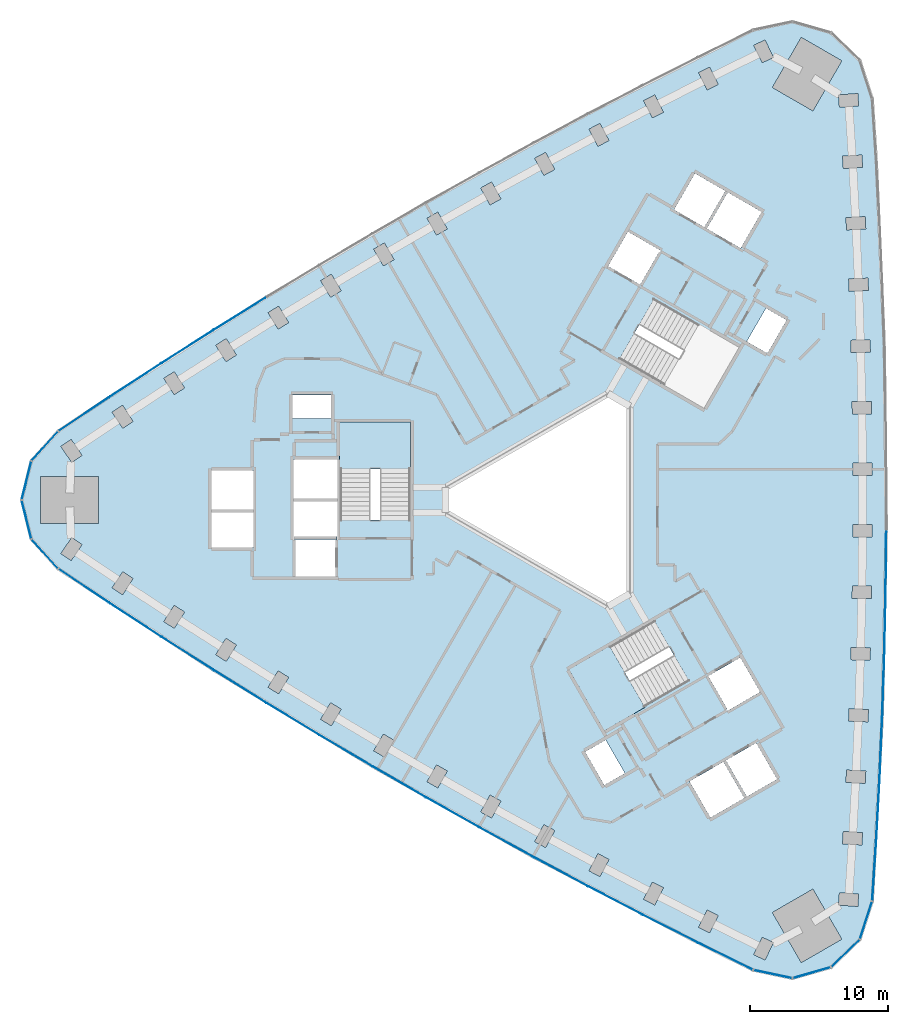
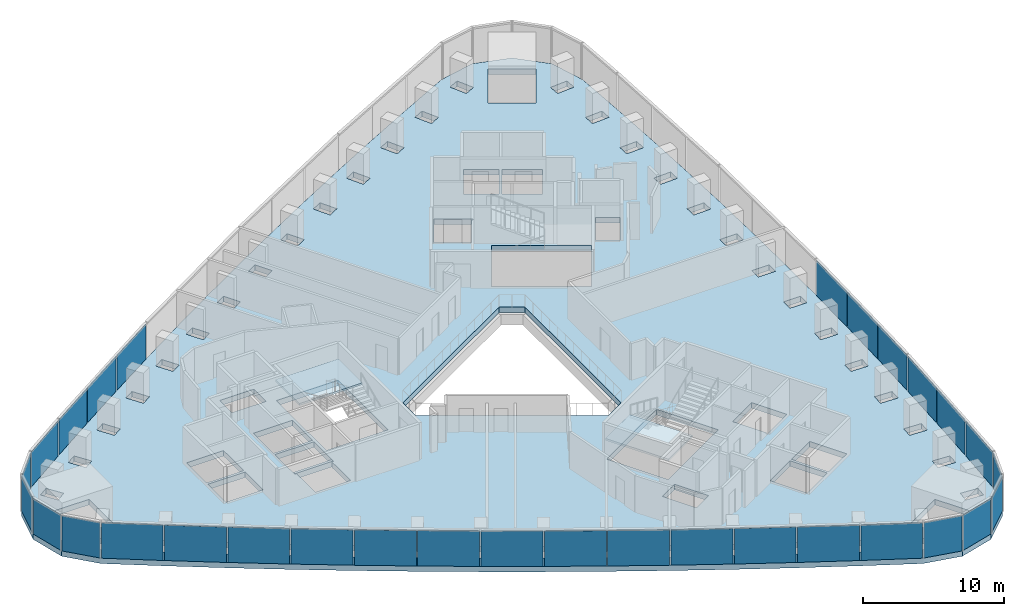
# One storey, part 6 of 12: 31 plates, 3 slabs, 5 elements without a shape of their own.
"""IFC4 building model written with IfcOpenShell, lengths in metres."""

from ifc_helpers import new_model, si_unit, direction, frame, origin, origin_2d, place, context, subcontext, project, spatial, polyline, rectangle, outline, extrude, material, layer, layer_set, type_object, element, aggregate, save


model = new_model("IFC4")

# Units and contexts
model_context = context("Model", 3, precision=1e-05, world=origin(), true_north=direction((0.0, 1.0)))
body_context = subcontext(model_context, "Body", "Model", "MODEL_VIEW")
ifc_project = project(units=[si_unit("LENGTHUNIT", "METRE"), si_unit("AREAUNIT", "SQUARE_METRE"), si_unit("VOLUMEUNIT", "CUBIC_METRE"), si_unit("PLANEANGLEUNIT", "RADIAN"), si_unit("MASSUNIT", "GRAM", prefix="KILO")], contexts=[model_context])

# Site, building, storey
site_placement = place(None, origin())
site = spatial("IfcSite", under=ifc_project, at=site_placement, CompositionType="ELEMENT")
building_placement = place(site_placement, origin())
building = spatial("IfcBuilding", under=site, at=building_placement, Name="Tamra Quay Hotel Tower", CompositionType="ELEMENT")
storey_placement = place(building_placement, frame((0.0, 0.0, 71.0)))
storey = spatial("IfcBuildingStorey", under=building, at=storey_placement, Name="L16", CompositionType="ELEMENT", Elevation=71.0)

# Stair, slab
ifc_material_1 = material(Name="Exit stair 2200 24 risers 150.0 going 342")
stair_type = type_object("IfcStairType", Name="Exit stair 2200 24 risers 150.0 going 342", PredefinedType="HALF_TURN_STAIR", material=ifc_material_1)
stair_1_placement = place(storey_placement, origin())
stair_1 = element("IfcStair", 1, at=stair_1_placement, inside=storey, type_object=stair_type, Name="L16 Exit stair ST3", PredefinedType="HALF_TURN_STAIR")
ifc_material_2 = material(Name="Concrete M70", Category="concrete")
ifc_layer_1 = layer(ifc_material_2, 0.175048828125)
ifc_layer_set_1 = layer_set([ifc_layer_1], Name="Concrete M70 stair landing 180")
slab_type_1 = type_object("IfcSlabType", Name="Concrete M70 stair landing 180", PredefinedType="LANDING", material=ifc_layer_set_1)
slab_1_placement = place(storey_placement, frame((0.0, 0.0, 1.625)))
slab_1 = element("IfcSlab", 2, at=slab_1_placement, type_object=slab_type_1, Name="ST3 landing 1", PredefinedType="LANDING", context=body_context, shape_type="SweptSolid", body=[
    extrude(outline(polyline([(-10.932373046875, 2.261962890625), (-10.932373046875, 5.679931640625), (-16.09130859375, 5.679931640625), (-16.09130859375, 2.261962890625), (-10.932373046875, 2.261962890625)])), origin(), (0.0, 0.0, 1.0), 0.175048828125),
])
aggregate(stair_1, [slab_1])

stair_2_placement = place(storey_placement, origin())
stair_2 = element("IfcStair", 3, at=stair_2_placement, inside=storey, type_object=stair_type, Name="L16 Exit stair ST2", PredefinedType="HALF_TURN_STAIR")
slab_2_placement = place(storey_placement, frame((0.0, 0.0, 1.625)))
slab_2 = element("IfcSlab", 4, at=slab_2_placement, type_object=slab_type_1, Name="ST2 landing 1", PredefinedType="LANDING", context=body_context, shape_type="SweptSolid", body=[
    extrude(outline(polyline([(3.50732421875, -10.5986328125), (0.547119140625, -12.3076171875), (3.126708984375, -16.775390625), (6.086669921875, -15.06640625), (3.50732421875, -10.5986328125)])), origin(), (0.0, 0.0, 1.0), 0.175048828125),
])
aggregate(stair_2, [slab_2])

# Slab
ifc_material_3 = material(Name="Concrete M60", Category="concrete")
ifc_layer_2 = layer(ifc_material_3, 0.47509765625)
ifc_layer_set_2 = layer_set([ifc_layer_2], Name="FLOOR SLAB PT 475")
slab_type_2 = type_object("IfcSlabType", Name="FLOOR SLAB PT 475", PredefinedType="FLOOR", material=ifc_layer_set_2)
slab_3_placement = place(storey_placement, frame((0.0, 0.0, -0.47509765625)))
element("IfcSlab", 5, at=slab_3_placement, inside=storey, type_object=slab_type_2, Name="SLAB-L16", PredefinedType="FLOOR", context=body_context, shape_type="SweptSolid", body=[
    extrude(outline(polyline([(22.8896484375, 24.67529296875), (23.13232421875, 20.1923828125), (23.32666015625, 15.707763671875), (23.472412109375, 11.221435546875), (23.569580078125, 6.73291015625), (23.618408203125, 2.244384765625), (23.618408203125, -2.244384765625), (23.569580078125, -6.73291015625), (23.472412109375, -11.221435546875), (23.32666015625, -15.707763671875), (23.13232421875, -20.1923828125), (22.8896484375, -24.67529296875), (22.598876953125, -29.154296875), (21.697998046875, -31.926025390625), (19.601318359375, -33.95068359375), (16.7998046875, -34.754150390625), (13.948974609375, -34.148193359375), (9.9248046875, -32.16064453125), (5.9208984375, -30.12939453125), (1.93994140625, -28.055419921875), (-2.018310546875, -25.9384765625), (-5.9541015625, -23.7783203125), (-9.865478515625, -21.576171875), (-13.752685546875, -19.331787109375), (-17.61572265625, -17.04541015625), (-21.454345703125, -14.717041015625), (-25.2666015625, -12.34765625), (-29.05322265625, -9.93701171875), (-32.814208984375, -7.4853515625), (-36.547607421875, -4.993896484375), (-38.497802734375, -2.827880859375), (-39.202880859375, 0.0), (-38.497802734375, 2.827880859375), (-36.547607421875, 4.993896484375), (-32.814208984375, 7.4853515625), (-29.05322265625, 9.93701171875), (-25.2666015625, 12.34765625), (-21.454345703125, 14.717041015625), (-17.61572265625, 17.04541015625), (-13.752685546875, 19.331787109375), (-9.865478515625, 21.576171875), (-5.9541015625, 23.7783203125), (-2.018310546875, 25.9384765625), (1.93994140625, 28.055419921875), (5.9208984375, 30.12939453125), (9.9248046875, 32.16064453125), (13.948974609375, 34.148193359375), (16.7998046875, 34.754150390625), (19.601318359375, 33.95068359375), (21.697998046875, 31.926025390625), (22.598876953125, 29.154296875), (22.8896484375, 24.67529296875)]), holes=[polyline([(-17.475830078125, -15.935791015625), (-16.70361328125, -16.39794921875), (-15.984375, -15.19677734375), (-16.756591796875, -14.734619140625), (-17.475830078125, -15.935791015625)]), polyline([(-20.56884765625, -12.416015625), (-21.3017578125, -13.60888671875), (-20.534912109375, -14.080078125), (-19.802001953125, -12.88720703125), (-20.56884765625, -12.416015625)]), polyline([(-24.357177734375, -10.05615234375), (-25.102294921875, -11.2412109375), (-24.340576171875, -11.72021484375), (-23.59521484375, -10.53515625), (-24.357177734375, -10.05615234375)]), polyline([(-28.11962890625, -7.6552734375), (-28.87744140625, -8.83251953125), (-28.12060546875, -9.319580078125), (-27.36279296875, -8.142578125), (-28.11962890625, -7.6552734375)]), polyline([(-31.854736328125, -5.21435546875), (-32.6259765625, -6.3828125), (-31.874755859375, -6.878662109375), (-31.103515625, -5.710205078125), (-31.854736328125, -5.21435546875)]), polyline([(-16.3173828125, -2.85498046875), (-19.4072265625, -2.85498046875), (-19.4072265625, -2.89306640625), (-19.307373046875, -2.89306640625), (-19.307373046875, -5.544921875), (-16.417236328125, -5.544921875), (-16.417236328125, -2.89306640625), (-16.3173828125, -2.89306640625), (-16.3173828125, -2.85498046875)]), polyline([(-35.565185546875, -2.73291015625), (-36.347900390625, -3.8935546875), (-35.601806640625, -4.396728515625), (-34.819091796875, -3.236083984375), (-35.565185546875, -2.73291015625)]), polyline([(-22.3671875, -3.445068359375), (-22.3671875, -0.905029296875), (-25.4072265625, -0.905029296875), (-25.4072265625, -3.445068359375), (-22.3671875, -3.445068359375)]), polyline([(-19.417236328125, -2.89306640625), (-19.417236328125, -2.64501953125), (-16.307373046875, -2.64501953125), (-16.307373046875, -2.89306640625), (-16.26708984375, -2.89306640625), (-16.26708984375, -0.10498046875), (-19.45751953125, -0.10498046875), (-19.45751953125, -2.89306640625), (-19.417236328125, -2.89306640625)]), polyline([(-33.62890625, 1.699951171875), (-37.828857421875, 1.699951171875), (-37.828857421875, -1.699951171875), (-33.62890625, -1.699951171875), (-33.62890625, 1.699951171875)]), polyline([(-25.4072265625, -0.695068359375), (-22.3671875, -0.695068359375), (-22.3671875, 2.14501953125), (-25.4072265625, 2.14501953125), (-25.4072265625, -0.695068359375)]), polyline([(-19.45751953125, 0.10498046875), (-16.26708984375, 0.10498046875), (-16.26708984375, 2.945068359375), (-19.45751953125, 2.945068359375), (-19.45751953125, 0.10498046875)]), polyline([(-16.036376953125, -1.455078125), (-10.9873046875, -1.455078125), (-10.9873046875, 5.625), (-16.036376953125, 5.625), (-16.036376953125, -1.455078125)]), polyline([(-34.819091796875, 3.236083984375), (-35.601806640625, 4.396728515625), (-36.347900390625, 3.8935546875), (-35.565185546875, 2.73291015625), (-34.819091796875, 3.236083984375)]), polyline([(-31.103515625, 5.710205078125), (-31.874755859375, 6.878662109375), (-32.6259765625, 6.3828125), (-31.854736328125, 5.21435546875), (-31.103515625, 5.710205078125)]), polyline([(-16.71728515625, 7.64501953125), (-19.50732421875, 7.64501953125), (-19.50732421875, 5.9150390625), (-16.71728515625, 5.9150390625), (-16.71728515625, 7.64501953125)]), polyline([(-27.36279296875, 8.142578125), (-28.12060546875, 9.319580078125), (-28.87744140625, 8.83251953125), (-28.11962890625, 7.6552734375), (-27.36279296875, 8.142578125)]), polyline([(-23.59521484375, 10.53515625), (-24.340576171875, 11.72021484375), (-25.102294921875, 11.2412109375), (-24.357177734375, 10.05615234375), (-23.59521484375, 10.53515625)]), polyline([(-19.802001953125, 12.88720703125), (-20.534912109375, 14.080078125), (-21.3017578125, 13.60888671875), (-20.56884765625, 12.416015625), (-19.802001953125, 12.88720703125)]), polyline([(-15.984375, 15.19677734375), (-16.70361328125, 16.39794921875), (-17.475830078125, 15.935791015625), (-16.756591796875, 14.734619140625), (-15.984375, 15.19677734375)]), polyline([(-12.141357421875, 17.466064453125), (-12.84765625, 18.6748046875), (-13.624755859375, 18.220703125), (-12.918212890625, 17.011962890625), (-12.141357421875, 17.466064453125)]), polyline([(10.606689453125, -29.79150390625), (9.980224609375, -31.04345703125), (10.78515625, -31.4462890625), (11.41162109375, -30.194091796875), (10.606689453125, -29.79150390625)]), polyline([(6.6298828125, -27.76806640625), (5.9892578125, -29.012939453125), (6.78955078125, -29.4248046875), (7.43017578125, -28.179931640625), (6.6298828125, -27.76806640625)]), polyline([(2.673828125, -25.70166015625), (2.02001953125, -26.939697265625), (2.81591796875, -27.35986328125), (3.4697265625, -26.121826171875), (2.673828125, -25.70166015625)]), polyline([(-1.259521484375, -23.5927734375), (-1.92626953125, -24.82373046875), (-1.134765625, -25.252197265625), (-0.46826171875, -24.021240234375), (-1.259521484375, -23.5927734375)]), polyline([(-5.168701171875, -21.44140625), (-5.849365234375, -22.664794921875), (-5.06298828125, -23.102294921875), (-4.382080078125, -21.87890625), (-5.168701171875, -21.44140625)]), polyline([(13.3056640625, -21.65576171875), (11.78564453125, -19.02294921875), (9.325927734375, -20.443115234375), (10.845947265625, -23.075927734375), (13.3056640625, -21.65576171875)]), polyline([(-9.055419921875, -19.247802734375), (-9.7490234375, -20.4638671875), (-8.96728515625, -20.90966796875), (-8.273681640625, -19.693603515625), (-9.055419921875, -19.247802734375)]), polyline([(1.73779296875, -18.300048828125), (3.1328125, -20.71630859375), (4.631103515625, -19.851318359375), (3.236083984375, -17.43505859375), (1.73779296875, -18.300048828125)]), polyline([(-12.918212890625, -17.011962890625), (-13.624755859375, -18.220703125), (-12.84765625, -18.6748046875), (-12.141357421875, -17.466064453125), (-12.918212890625, -17.011962890625)]), polyline([(10.68115234375, -12.790283203125), (12.05615234375, -15.171875), (11.969482421875, -15.2216796875), (12.03955078125, -15.343017578125), (14.455810546875, -13.947998046875), (13.0107421875, -11.4453125), (10.68115234375, -12.790283203125)]), polyline([(9.2783203125, -13.160400390625), (6.75390625, -8.78759765625), (0.622314453125, -12.32763671875), (3.146728515625, -16.7001953125), (9.2783203125, -13.160400390625)]), polyline([(3.39990234375, 7.736572265625), (-8.39990234375, 0.923828125), (-8.39990234375, -0.923828125), (3.39990234375, -7.736572265625), (5.0, -6.812744140625), (5.0, 6.812744140625), (3.39990234375, 7.736572265625)]), polyline([(6.758056640625, 14.615478515625), (4.2333984375, 10.242919921875), (10.364990234375, 6.702880859375), (12.889404296875, 11.075439453125), (6.758056640625, 14.615478515625)]), polyline([(5.736083984375, 15.645263671875), (7.111083984375, 18.02685546875), (7.19775390625, 17.976806640625), (7.267578125, 18.09814453125), (4.8515625, 19.4931640625), (3.406494140625, 16.990234375), (5.736083984375, 15.645263671875)]), polyline([(-8.273681640625, 19.693603515625), (-8.96728515625, 20.90966796875), (-9.7490234375, 20.4638671875), (-9.055419921875, 19.247802734375), (-8.273681640625, 19.693603515625)]), polyline([(8.2001953125, 21.093017578125), (10.39990234375, 19.822998046875), (11.919921875, 22.455810546875), (9.72021484375, 23.725830078125), (8.2001953125, 21.093017578125)]), polyline([(-4.382080078125, 21.87890625), (-5.06298828125, 23.102294921875), (-5.849365234375, 22.664794921875), (-5.168701171875, 21.44140625), (-4.382080078125, 21.87890625)]), polyline([(-0.46826171875, 24.021240234375), (-1.134765625, 25.252197265625), (-1.92626953125, 24.82373046875), (-1.259521484375, 23.5927734375), (-0.46826171875, 24.021240234375)]), polyline([(3.4697265625, 26.121826171875), (2.81591796875, 27.35986328125), (2.02001953125, 26.939697265625), (2.673828125, 25.70166015625), (3.4697265625, 26.121826171875)]), polyline([(7.43017578125, 28.179931640625), (6.78955078125, 29.4248046875), (5.9892578125, 29.012939453125), (6.6298828125, 27.76806640625), (7.43017578125, 28.179931640625)]), polyline([(11.41162109375, 30.194091796875), (10.78515625, 31.4462890625), (9.980224609375, 31.04345703125), (10.606689453125, 29.79150390625), (11.41162109375, 30.194091796875)]), polyline([(14.60693359375, -31.772216796875), (13.993408203125, -33.030517578125), (14.80224609375, -33.425048828125), (15.416015625, -32.166748046875), (14.60693359375, -31.772216796875)]), polyline([(15.34228515625, -29.973388671875), (17.442138671875, -33.61083984375), (20.38671875, -31.910888671875), (18.28662109375, -28.2734375), (15.34228515625, -29.973388671875)]), polyline([(20.1494140625, -29.43408203125), (21.5458984375, -29.53173828125), (21.608642578125, -28.6337890625), (20.212158203125, -28.5361328125), (20.1494140625, -29.43408203125)]), polyline([(20.443115234375, -24.979736328125), (21.840576171875, -25.0634765625), (21.894287109375, -24.1650390625), (20.496826171875, -24.081298828125), (20.443115234375, -24.979736328125)]), polyline([(20.689453125, -20.524658203125), (22.087890625, -20.59228515625), (22.13134765625, -19.693359375), (20.73291015625, -19.625732421875), (20.689453125, -20.524658203125)]), polyline([(14.1669921875, -17.648193359375), (11.96728515625, -18.91796875), (13.487548828125, -21.55078125), (15.68701171875, -20.281005859375), (14.1669921875, -17.648193359375)]), polyline([(20.887451171875, -16.06591796875), (22.286376953125, -16.11865234375), (22.3203125, -15.219482421875), (20.92138671875, -15.16650390625), (20.887451171875, -16.06591796875)]), polyline([(21.037109375, -11.60498046875), (22.4365234375, -11.643310546875), (22.461181640625, -10.74365234375), (21.0615234375, -10.70556640625), (21.037109375, -11.60498046875)]), polyline([(21.138916015625, -7.144287109375), (22.538818359375, -7.16650390625), (22.552978515625, -6.2666015625), (21.153076171875, -6.244384765625), (21.138916015625, -7.144287109375)]), polyline([(21.19189453125, -2.681640625), (22.591796875, -2.68896484375), (22.5966796875, -1.7890625), (21.19677734375, -1.781494140625), (21.19189453125, -2.681640625)]), polyline([(21.19677734375, 1.781494140625), (22.5966796875, 1.7890625), (22.591796875, 2.68896484375), (21.19189453125, 2.681640625), (21.19677734375, 1.781494140625)]), polyline([(21.153076171875, 6.244384765625), (22.552978515625, 6.2666015625), (22.538818359375, 7.16650390625), (21.138916015625, 7.144287109375), (21.153076171875, 6.244384765625)]), polyline([(21.0615234375, 10.70556640625), (22.461181640625, 10.74365234375), (22.4365234375, 11.643310546875), (21.037109375, 11.60498046875), (21.0615234375, 10.70556640625)]), polyline([(14.9794921875, 10.655029296875), (16.37451171875, 13.0712890625), (14.876220703125, 13.936279296875), (13.481201171875, 11.52001953125), (14.9794921875, 10.655029296875)]), polyline([(20.92138671875, 15.16650390625), (22.3203125, 15.219482421875), (22.286376953125, 16.11865234375), (20.887451171875, 16.06591796875), (20.92138671875, 15.16650390625)]), polyline([(20.73291015625, 19.625732421875), (22.13134765625, 19.693359375), (22.087890625, 20.59228515625), (20.689453125, 20.524658203125), (20.73291015625, 19.625732421875)]), polyline([(12.101806640625, 22.350830078125), (10.58154296875, 19.718017578125), (13.041259765625, 18.298095703125), (14.561279296875, 20.930908203125), (12.101806640625, 22.350830078125)]), polyline([(20.496826171875, 24.081298828125), (21.894287109375, 24.1650390625), (21.840576171875, 25.0634765625), (20.443115234375, 24.979736328125), (20.496826171875, 24.081298828125)]), polyline([(20.212158203125, 28.5361328125), (21.608642578125, 28.6337890625), (21.5458984375, 29.53173828125), (20.1494140625, 29.43408203125), (20.212158203125, 28.5361328125)]), polyline([(18.28662109375, 28.2734375), (20.38671875, 31.910888671875), (17.442138671875, 33.61083984375), (15.34228515625, 29.973388671875), (18.28662109375, 28.2734375)]), polyline([(15.416015625, 32.166748046875), (14.80224609375, 33.425048828125), (13.993408203125, 33.030517578125), (14.60693359375, 31.772216796875), (15.416015625, 32.166748046875)])]), origin(), (0.0, 0.0, 1.0), 0.47509765625),
])

# Curtain wall, plates
ifc_material_4 = material(Name="Aluminium 6063 anodised dark grey", Category="aluminium")
curtain_wall_type_1 = type_object("IfcCurtainWallType", Name="CW1 CURTAIN WALL", PredefinedType="NOTDEFINED", material=ifc_material_4)
curtain_wall_1_placement = place(storey_placement, origin())
curtain_wall_1 = element("IfcCurtainWall", 6, at=curtain_wall_1_placement, inside=storey, type_object=curtain_wall_type_1, Name="CW1 east face L16", PredefinedType="NOTDEFINED")
ifc_material_5 = material(Name="Glass clear laminated low-iron", Category="glass")
ifc_layer_3 = layer(ifc_material_5, 0.035888671875)
ifc_layer_set_3 = layer_set([ifc_layer_3], Name="GLASS PANEL CW1 Z1")
plate_type_1 = type_object("IfcPlateType", Name="GLASS PANEL CW1 Z1", PredefinedType="CURTAIN_PANEL", material=ifc_layer_set_3)
plate_1_placement = place(storey_placement, frame((22.744140625, -26.914794921875, 0.0), z_axis=(0.0, 0.0, 1.0), x_axis=(0.064813190551, 0.997897414733, 0.0)))
plate_1 = element("IfcPlate", 7, at=plate_1_placement, type_object=plate_type_1, Name="CW1 glass L16.E.1", PredefinedType="CURTAIN_PANEL", context=body_context, shape_type="SweptSolid", body=[
    extrude(rectangle(XDim=4.38818359375, YDim=0.035888671875, at=origin_2d()), origin(), (0.0, 0.0, 1.0), 3.06005859375),
])
plate_2_placement = place(storey_placement, frame((23.010986328125, -22.433837890625, 0.0), z_axis=(0.0, 0.0, 1.0), x_axis=(0.054062166947, 0.998537571704, 0.0)))
plate_2 = element("IfcPlate", 8, at=plate_2_placement, type_object=plate_type_1, Name="CW1 glass L16.E.2", PredefinedType="CURTAIN_PANEL", context=body_context, shape_type="SweptSolid", body=[
    extrude(rectangle(XDim=4.3896484375, YDim=0.035888671875, at=origin_2d()), origin(), (0.0, 0.0, 1.0), 3.06005859375),
])
plate_3_placement = place(storey_placement, frame((23.2294921875, -17.949951171875, 0.0), z_axis=(0.0, 0.0, 1.0), x_axis=(0.04328585604, 0.999062728094, 0.0)))
plate_3 = element("IfcPlate", 9, at=plate_3_placement, type_object=plate_type_1, Name="CW1 glass L16.E.3", PredefinedType="CURTAIN_PANEL", context=body_context, shape_type="SweptSolid", body=[
    extrude(rectangle(XDim=4.388671875, YDim=0.035888671875, at=origin_2d()), origin(), (0.0, 0.0, 1.0), 3.06005859375),
])
plate_4_placement = place(storey_placement, frame((23.399658203125, -13.464599609375, 0.0), z_axis=(0.0, 0.0, 1.0), x_axis=(0.032474671117, 0.999472558771, 0.0)))
plate_4 = element("IfcPlate", 10, at=plate_4_placement, type_object=plate_type_1, Name="CW1 glass L16.E.4", PredefinedType="CURTAIN_PANEL", context=body_context, shape_type="SweptSolid", body=[
    extrude(rectangle(XDim=4.388671875, YDim=0.035888671875, at=origin_2d()), origin(), (0.0, 0.0, 1.0), 3.06005859375),
])
plate_5_placement = place(storey_placement, frame((23.52099609375, -8.97705078125, 0.0), z_axis=(0.0, 0.0, 1.0), x_axis=(0.021657653853, 0.999765445507, 0.0)))
plate_5 = element("IfcPlate", 11, at=plate_5_placement, type_object=plate_type_1, Name="CW1 glass L16.E.5", PredefinedType="CURTAIN_PANEL", context=body_context, shape_type="SweptSolid", body=[
    extrude(rectangle(XDim=4.3896484375, YDim=0.035888671875, at=origin_2d()), origin(), (0.0, 0.0, 1.0), 3.06005859375),
])
plate_6_placement = place(storey_placement, frame((23.593994140625, -4.488525390625, 0.0), z_axis=(0.0, 0.0, 1.0), x_axis=(0.010836354168, 0.99994128499, 0.0)))
plate_6 = element("IfcPlate", 12, at=plate_6_placement, type_object=plate_type_1, Name="CW1 glass L16.E.6", PredefinedType="CURTAIN_PANEL", context=body_context, shape_type="SweptSolid", body=[
    extrude(rectangle(XDim=4.388671875, YDim=0.035888671875, at=origin_2d()), origin(), (0.0, 0.0, 1.0), 3.06005859375),
])
aggregate(curtain_wall_1, [plate_1, plate_2, plate_3, plate_4, plate_5, plate_6])

curtain_wall_type_2 = type_object("IfcCurtainWallType", Name="CW2 CURTAIN WALL", PredefinedType="NOTDEFINED", material=ifc_material_4)
curtain_wall_2_placement = place(storey_placement, origin())
curtain_wall_2 = element("IfcCurtainWall", 13, at=curtain_wall_2_placement, inside=storey, type_object=curtain_wall_type_2, Name="CW2 north-west face L16", PredefinedType="NOTDEFINED")
ifc_layer_4 = layer(ifc_material_5, 0.035888671875)
ifc_layer_set_4 = layer_set([ifc_layer_4], Name="GLASS PANEL CW2 Z1")
plate_type_2 = type_object("IfcPlateType", Name="GLASS PANEL CW2 Z1", PredefinedType="CURTAIN_PANEL", material=ifc_layer_set_4)
plate_7_placement = place(storey_placement, frame((-23.360595703125, 13.5322265625, 0.0), z_axis=(0.0, 0.0, 1.0), x_axis=(-0.849331290722, -0.527860169552, 0.0)))
plate_7 = element("IfcPlate", 14, at=plate_7_placement, type_object=plate_type_2, Name="CW2 glass L16.NW.10", PredefinedType="CURTAIN_PANEL", context=body_context, shape_type="SweptSolid", body=[
    extrude(rectangle(XDim=4.388671875, YDim=0.035888671875, at=origin_2d()), origin(), (0.0, 0.0, 1.0), 3.06005859375),
])
plate_8_placement = place(storey_placement, frame((-27.159912109375, 11.142333984375, 0.0), z_axis=(0.0, 0.0, 1.0), x_axis=(-0.843570774484, -0.537018015002, 0.0)))
plate_8 = element("IfcPlate", 15, at=plate_8_placement, type_object=plate_type_2, Name="CW2 glass L16.NW.11", PredefinedType="CURTAIN_PANEL", context=body_context, shape_type="SweptSolid", body=[
    extrude(rectangle(XDim=4.388671875, YDim=0.035888671875, at=origin_2d()), origin(), (0.0, 0.0, 1.0), 3.06005859375),
])
plate_9_placement = place(storey_placement, frame((-30.933837890625, 8.711181640625, 0.0), z_axis=(0.0, 0.0, 1.0), x_axis=(-0.837727820256, -0.546087995811, 0.0)))
plate_9 = element("IfcPlate", 16, at=plate_9_placement, type_object=plate_type_2, Name="CW2 glass L16.NW.12", PredefinedType="CURTAIN_PANEL", context=body_context, shape_type="SweptSolid", body=[
    extrude(rectangle(XDim=4.3896484375, YDim=0.035888671875, at=origin_2d()), origin(), (0.0, 0.0, 1.0), 3.06005859375),
])
plate_10_placement = place(storey_placement, frame((-34.680908203125, 6.23974609375, 0.0), z_axis=(0.0, 0.0, 1.0), x_axis=(-0.831797916254, -0.555078576884, 0.0)))
plate_10 = element("IfcPlate", 17, at=plate_10_placement, type_object=plate_type_2, Name="CW2 glass L16.NW.13", PredefinedType="CURTAIN_PANEL", context=body_context, shape_type="SweptSolid", body=[
    extrude(rectangle(XDim=4.38818359375, YDim=0.035888671875, at=origin_2d()), origin(), (0.0, 0.0, 1.0), 3.06005859375),
])
plate_11_placement = place(storey_placement, frame((-37.522705078125, 3.910888671875, 0.0), z_axis=(0.0, 0.0, 1.0), x_axis=(-0.669112198553, -0.743161399527, 0.0)))
plate_11 = element("IfcPlate", 18, at=plate_11_placement, type_object=plate_type_2, Name="CW2 glass L16.NW.14", PredefinedType="CURTAIN_PANEL", context=body_context, shape_type="SweptSolid", body=[
    extrude(rectangle(XDim=2.814697265625, YDim=0.035888671875, at=origin_2d()), origin(), (0.0, 0.0, 1.0), 3.06005859375),
])
plate_12_placement = place(storey_placement, frame((-38.850341796875, 1.4140625, 0.0), z_axis=(0.0, 0.0, 1.0), x_axis=(-0.241913884219, -0.970297723702, 0.0)))
plate_12 = element("IfcPlate", 19, at=plate_12_placement, type_object=plate_type_2, Name="CW2 glass L16.NW.15", PredefinedType="CURTAIN_PANEL", context=body_context, shape_type="SweptSolid", body=[
    extrude(rectangle(XDim=2.814697265625, YDim=0.035888671875, at=origin_2d()), origin(), (0.0, 0.0, 1.0), 3.06005859375),
])
plate_13_placement = place(storey_placement, frame((-38.850341796875, -1.4140625, 0.0), z_axis=(0.0, 0.0, 1.0), x_axis=(0.24191388422, -0.970297723702, 0.0)))
plate_13 = element("IfcPlate", 20, at=plate_13_placement, type_object=plate_type_2, Name="CW2 glass L16.NW.16", PredefinedType="CURTAIN_PANEL", context=body_context, shape_type="SweptSolid", body=[
    extrude(rectangle(XDim=2.814697265625, YDim=0.035888671875, at=origin_2d()), origin(), (0.0, 0.0, 1.0), 3.06005859375),
])
plate_14_placement = place(storey_placement, frame((-37.522705078125, -3.910888671875, 0.0), z_axis=(0.0, 0.0, 1.0), x_axis=(0.669112198553, -0.743161399527, 0.0)))
plate_14 = element("IfcPlate", 21, at=plate_14_placement, type_object=plate_type_2, Name="CW2 glass L16.NW.17", PredefinedType="CURTAIN_PANEL", context=body_context, shape_type="SweptSolid", body=[
    extrude(rectangle(XDim=2.814697265625, YDim=0.035888671875, at=origin_2d()), origin(), (0.0, 0.0, 1.0), 3.06005859375),
])
aggregate(curtain_wall_2, [plate_7, plate_8, plate_9, plate_10, plate_11, plate_12, plate_13, plate_14])

curtain_wall_type_3 = type_object("IfcCurtainWallType", Name="CW3 CURTAIN WALL", PredefinedType="NOTDEFINED", material=ifc_material_4)
curtain_wall_3_placement = place(storey_placement, origin())
curtain_wall_3 = element("IfcCurtainWall", 22, at=curtain_wall_3_placement, inside=storey, type_object=curtain_wall_type_3, Name="CW3 south-west face L16", PredefinedType="NOTDEFINED")
ifc_layer_5 = layer(ifc_material_5, 0.035888671875)
ifc_layer_set_5 = layer_set([ifc_layer_5], Name="GLASS PANEL CW3 Z1")
plate_type_3 = type_object("IfcPlateType", Name="GLASS PANEL CW3 Z1", PredefinedType="CURTAIN_PANEL", material=ifc_layer_set_5)
plate_15_placement = place(storey_placement, frame((-34.680908203125, -6.23974609375, 0.0), z_axis=(0.0, 0.0, 1.0), x_axis=(0.831797916254, -0.555078576884, 0.0)))
plate_15 = element("IfcPlate", 23, at=plate_15_placement, type_object=plate_type_3, Name="CW3 glass L16.SW.1", PredefinedType="CURTAIN_PANEL", context=body_context, shape_type="SweptSolid", body=[
    extrude(rectangle(XDim=4.38818359375, YDim=0.035888671875, at=origin_2d()), origin(), (0.0, 0.0, 1.0), 3.06005859375),
])
plate_16_placement = place(storey_placement, frame((-30.933837890625, -8.711181640625, 0.0), z_axis=(0.0, 0.0, 1.0), x_axis=(0.837727820256, -0.546087995811, 0.0)))
plate_16 = element("IfcPlate", 24, at=plate_16_placement, type_object=plate_type_3, Name="CW3 glass L16.SW.2", PredefinedType="CURTAIN_PANEL", context=body_context, shape_type="SweptSolid", body=[
    extrude(rectangle(XDim=4.3896484375, YDim=0.035888671875, at=origin_2d()), origin(), (0.0, 0.0, 1.0), 3.06005859375),
])
plate_17_placement = place(storey_placement, frame((-27.159912109375, -11.142333984375, 0.0), z_axis=(0.0, 0.0, 1.0), x_axis=(0.843570774484, -0.537018015002, 0.0)))
plate_17 = element("IfcPlate", 25, at=plate_17_placement, type_object=plate_type_3, Name="CW3 glass L16.SW.3", PredefinedType="CURTAIN_PANEL", context=body_context, shape_type="SweptSolid", body=[
    extrude(rectangle(XDim=4.388671875, YDim=0.035888671875, at=origin_2d()), origin(), (0.0, 0.0, 1.0), 3.06005859375),
])
plate_18_placement = place(storey_placement, frame((-23.360595703125, -13.5322265625, 0.0), z_axis=(0.0, 0.0, 1.0), x_axis=(0.849331290722, -0.527860169552, 0.0)))
plate_18 = element("IfcPlate", 26, at=plate_18_placement, type_object=plate_type_3, Name="CW3 glass L16.SW.4", PredefinedType="CURTAIN_PANEL", context=body_context, shape_type="SweptSolid", body=[
    extrude(rectangle(XDim=4.388671875, YDim=0.035888671875, at=origin_2d()), origin(), (0.0, 0.0, 1.0), 3.06005859375),
])
plate_19_placement = place(storey_placement, frame((-19.534912109375, -15.88134765625, 0.0), z_axis=(0.0, 0.0, 1.0), x_axis=(0.854993446708, -0.518638801177, 0.0)))
plate_19 = element("IfcPlate", 27, at=plate_19_placement, type_object=plate_type_3, Name="CW3 glass L16.SW.5", PredefinedType="CURTAIN_PANEL", context=body_context, shape_type="SweptSolid", body=[
    extrude(rectangle(XDim=4.3896484375, YDim=0.035888671875, at=origin_2d()), origin(), (0.0, 0.0, 1.0), 3.06005859375),
])
plate_20_placement = place(storey_placement, frame((-15.684326171875, -18.188720703125, 0.0), z_axis=(0.0, 0.0, 1.0), x_axis=(0.860556378011, -0.509355200489, 0.0)))
plate_20 = element("IfcPlate", 28, at=plate_20_placement, type_object=plate_type_3, Name="CW3 glass L16.SW.6", PredefinedType="CURTAIN_PANEL", context=body_context, shape_type="SweptSolid", body=[
    extrude(rectangle(XDim=4.388671875, YDim=0.035888671875, at=origin_2d()), origin(), (0.0, 0.0, 1.0), 3.06005859375),
])
plate_21_placement = place(storey_placement, frame((-11.80908203125, -20.4541015625, 0.0), z_axis=(0.0, 0.0, 1.0), x_axis=(0.866025403784, -0.5, 0.0)))
plate_21 = element("IfcPlate", 29, at=plate_21_placement, type_object=plate_type_3, Name="CW3 glass L16.SW.7", PredefinedType="CURTAIN_PANEL", context=body_context, shape_type="SweptSolid", body=[
    extrude(rectangle(XDim=4.388671875, YDim=0.035888671875, at=origin_2d()), origin(), (0.0, 0.0, 1.0), 3.06005859375),
])
plate_22_placement = place(storey_placement, frame((-7.90966796875, -22.67724609375, 0.0), z_axis=(0.0, 0.0, 1.0), x_axis=(0.871392732178, -0.490586084502, 0.0)))
plate_22 = element("IfcPlate", 30, at=plate_22_placement, type_object=plate_type_3, Name="CW3 glass L16.SW.8", PredefinedType="CURTAIN_PANEL", context=body_context, shape_type="SweptSolid", body=[
    extrude(rectangle(XDim=4.388671875, YDim=0.035888671875, at=origin_2d()), origin(), (0.0, 0.0, 1.0), 3.06005859375),
])
plate_23_placement = place(storey_placement, frame((-3.986083984375, -24.8583984375, 0.0), z_axis=(0.0, 0.0, 1.0), x_axis=(0.876651100562, -0.48112664433, 0.0)))
plate_23 = element("IfcPlate", 31, at=plate_23_placement, type_object=plate_type_3, Name="CW3 glass L16.SW.9", PredefinedType="CURTAIN_PANEL", context=body_context, shape_type="SweptSolid", body=[
    extrude(rectangle(XDim=4.3896484375, YDim=0.035888671875, at=origin_2d()), origin(), (0.0, 0.0, 1.0), 3.06005859375),
])
plate_24_placement = place(storey_placement, frame((-0.0390625, -26.996826171875, 0.0), z_axis=(0.0, 0.0, 1.0), x_axis=(0.88180596184, -0.471612389218, 0.0)))
plate_24 = element("IfcPlate", 32, at=plate_24_placement, type_object=plate_type_3, Name="CW3 glass L16.SW.10", PredefinedType="CURTAIN_PANEL", context=body_context, shape_type="SweptSolid", body=[
    extrude(rectangle(XDim=4.388671875, YDim=0.035888671875, at=origin_2d()), origin(), (0.0, 0.0, 1.0), 3.06005859375),
])
plate_25_placement = place(storey_placement, frame((3.930419921875, -29.09228515625, 0.0), z_axis=(0.0, 0.0, 1.0), x_axis=(0.886856630524, -0.462044713092, 0.0)))
plate_25 = element("IfcPlate", 33, at=plate_25_placement, type_object=plate_type_3, Name="CW3 glass L16.SW.11", PredefinedType="CURTAIN_PANEL", context=body_context, shape_type="SweptSolid", body=[
    extrude(rectangle(XDim=4.388671875, YDim=0.035888671875, at=origin_2d()), origin(), (0.0, 0.0, 1.0), 3.06005859375),
])
plate_26_placement = place(storey_placement, frame((7.9228515625, -31.14501953125, 0.0), z_axis=(0.0, 0.0, 1.0), x_axis=(0.891789987202, -0.452449575893, 0.0)))
plate_26 = element("IfcPlate", 34, at=plate_26_placement, type_object=plate_type_3, Name="CW3 glass L16.SW.12", PredefinedType="CURTAIN_PANEL", context=body_context, shape_type="SweptSolid", body=[
    extrude(rectangle(XDim=4.3896484375, YDim=0.035888671875, at=origin_2d()), origin(), (0.0, 0.0, 1.0), 3.06005859375),
])
plate_27_placement = place(storey_placement, frame((11.936767578125, -33.154541015625, 0.0), z_axis=(0.0, 0.0, 1.0), x_axis=(0.896611106805, -0.442818837849, 0.0)))
plate_27 = element("IfcPlate", 35, at=plate_27_placement, type_object=plate_type_3, Name="CW3 glass L16.SW.13", PredefinedType="CURTAIN_PANEL", context=body_context, shape_type="SweptSolid", body=[
    extrude(rectangle(XDim=4.38818359375, YDim=0.035888671875, at=origin_2d()), origin(), (0.0, 0.0, 1.0), 3.06005859375),
])
plate_28_placement = place(storey_placement, frame((15.374267578125, -34.451171875, 0.0), z_axis=(0.0, 0.0, 1.0), x_axis=(0.978152750379, -0.207887462165, 0.0)))
plate_28 = element("IfcPlate", 36, at=plate_28_placement, type_object=plate_type_3, Name="CW3 glass L16.SW.14", PredefinedType="CURTAIN_PANEL", context=body_context, shape_type="SweptSolid", body=[
    extrude(rectangle(XDim=2.814697265625, YDim=0.035888671875, at=origin_2d()), origin(), (0.0, 0.0, 1.0), 3.06005859375),
])
plate_29_placement = place(storey_placement, frame((18.20068359375, -34.352294921875, 0.0), z_axis=(0.0, 0.0, 1.0), x_axis=(0.96125942007, 0.275645292589, 0.0)))
plate_29 = element("IfcPlate", 37, at=plate_29_placement, type_object=plate_type_3, Name="CW3 glass L16.SW.15", PredefinedType="CURTAIN_PANEL", context=body_context, shape_type="SweptSolid", body=[
    extrude(rectangle(XDim=2.814697265625, YDim=0.035888671875, at=origin_2d()), origin(), (0.0, 0.0, 1.0), 3.06005859375),
])
plate_30_placement = place(storey_placement, frame((20.649658203125, -32.9384765625, 0.0), z_axis=(0.0, 0.0, 1.0), x_axis=(0.719345535851, 0.694652431113, 0.0)))
plate_30 = element("IfcPlate", 38, at=plate_30_placement, type_object=plate_type_3, Name="CW3 glass L16.SW.16", PredefinedType="CURTAIN_PANEL", context=body_context, shape_type="SweptSolid", body=[
    extrude(rectangle(XDim=2.814697265625, YDim=0.035888671875, at=origin_2d()), origin(), (0.0, 0.0, 1.0), 3.06005859375),
])
plate_31_placement = place(storey_placement, frame((22.1484375, -30.5400390625, 0.0), z_axis=(0.0, 0.0, 1.0), x_axis=(0.309040551826, 0.951048861693, 0.0)))
plate_31 = element("IfcPlate", 39, at=plate_31_placement, type_object=plate_type_3, Name="CW3 glass L16.SW.17", PredefinedType="CURTAIN_PANEL", context=body_context, shape_type="SweptSolid", body=[
    extrude(rectangle(XDim=2.814697265625, YDim=0.035888671875, at=origin_2d()), origin(), (0.0, 0.0, 1.0), 3.06005859375),
])
aggregate(curtain_wall_3, [plate_15, plate_16, plate_17, plate_18, plate_19, plate_20, plate_21, plate_22, plate_23, plate_24, plate_25, plate_26, plate_27, plate_28, plate_29, plate_30, plate_31])

save(model, "model.ifc")
